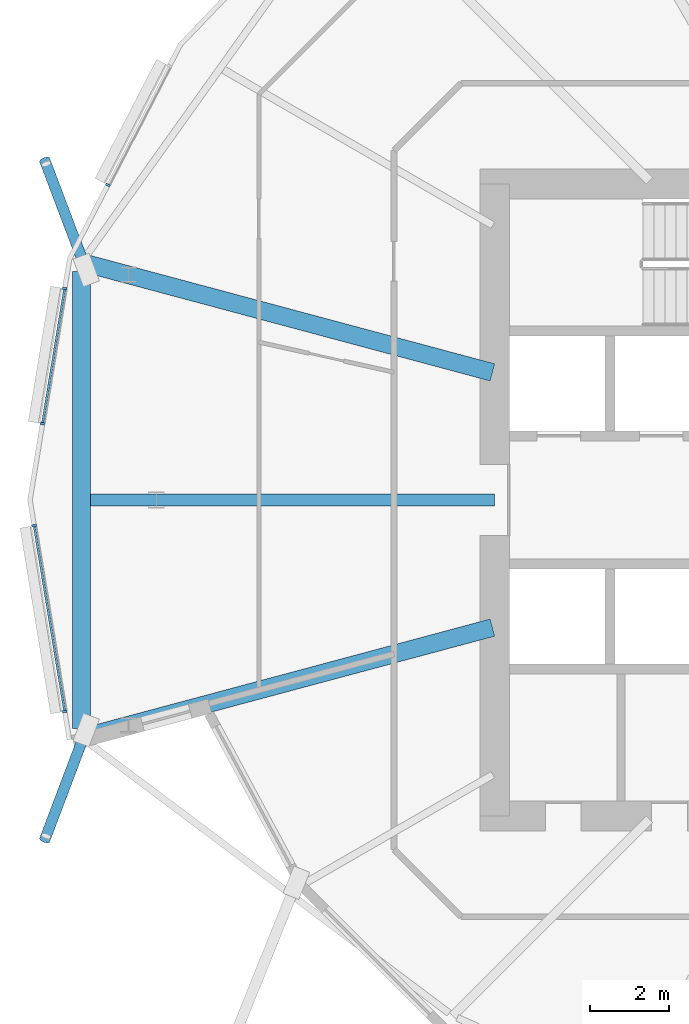
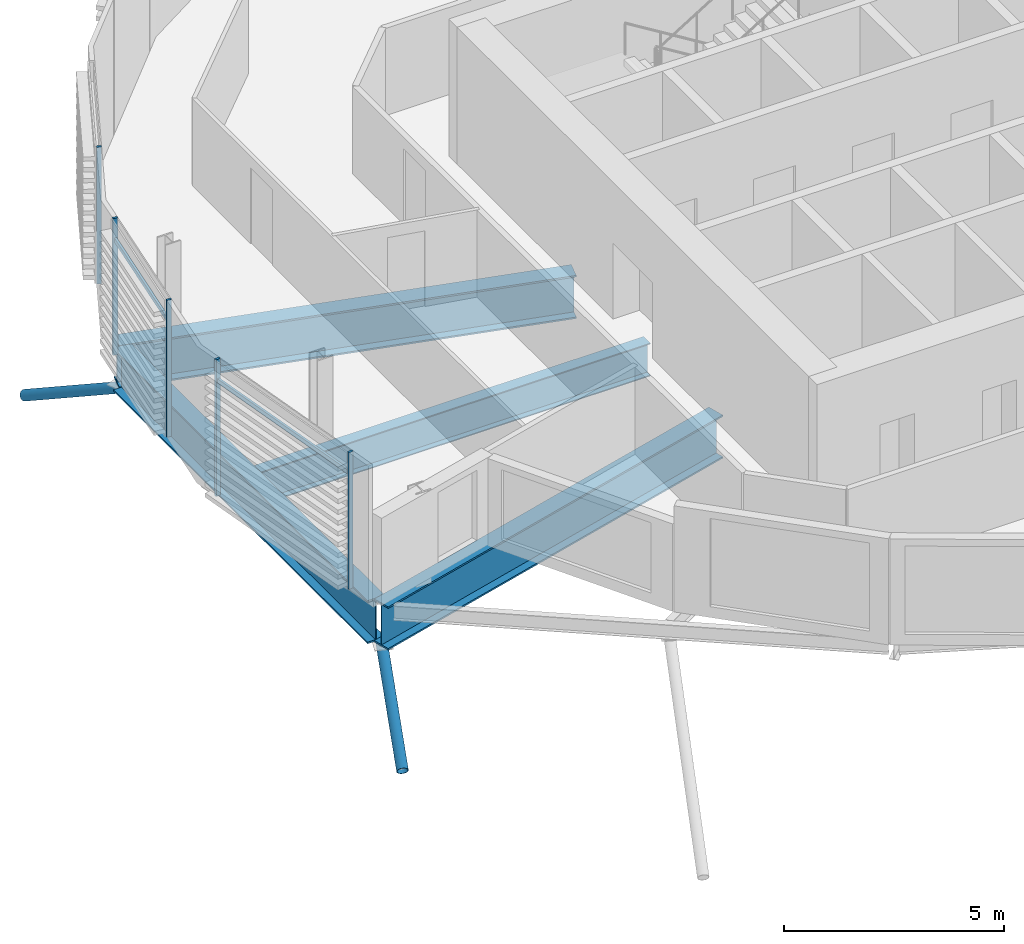
# One storey, part 5 of 40: 9 members, 4 beams, 1 element without a shape of its own.
"""IFC4 building model written with IfcOpenShell, lengths in metres."""

import ifcopenshell
import ifcopenshell.guid

model = None  # the IFC model being written
_history = None  # IfcOwnerHistory: only IFC2X3 demands one
_inside = {}  # id of a spatial element -> (the spatial element, [elements in it])
_under = {}  # id of a project, library or spatial element -> (it, [spatial elements below it])
_declared = {}  # id of a project -> (the project, [libraries it declares])
_typed = {}  # id of a type object -> (the type object, [elements of that type])
_made_of = {}  # id of a material, layer set ... -> (it, [elements and type objects made of it])


def new_model(schema):
    """Start an empty IFC model of exactly this schema.

    Asked for "IFC4X3", IfcOpenShell would pick the latest addendum, in which some entities
    have other attributes; the version numbers below select the first issue.
    IFC2X3 requires an IfcOwnerHistory on every rooted entity: one is made here for all.
    """
    global model, _history
    if schema == "IFC4X3":
        model = ifcopenshell.file(schema_version=(4, 3, 0, 0))
    else:
        model = ifcopenshell.file(schema=schema)
    _inside.clear()
    _under.clear()
    _declared.clear()
    _typed.clear()
    _made_of.clear()
    _history = None
    if model.schema == "IFC2X3":
        org = make("IfcOrganization", Name="unknown")
        user = make(
            "IfcPersonAndOrganization",
            ThePerson=make("IfcPerson", FamilyName="unknown"),
            TheOrganization=org,
        )
        app = make(
            "IfcApplication",
            ApplicationDeveloper=org,
            Version="unknown",
            ApplicationFullName="unknown",
            ApplicationIdentifier="unknown",
        )
        _history = make(
            "IfcOwnerHistory",
            OwningUser=user,
            OwningApplication=app,
            ChangeAction="ADDED",
            CreationDate=0,
        )
    return model


def make(cls, **values):
    """One entity of the class cls with the attributes given. An attribute that is None is left unset."""
    return model.create_entity(
        cls, **{name: value for name, value in values.items() if value is not None}
    )


def rooted(cls, **values):
    """An entity with a GlobalId (a new one), such as an element, a storey or a relation."""
    return make(cls, GlobalId=ifcopenshell.guid.new(), OwnerHistory=_history, **values)


def si_unit(unit_type, name, prefix=None):
    """IfcSIUnit, for example si_unit("LENGTHUNIT", "METRE", prefix="MILLI")."""
    return make("IfcSIUnit", UnitType=unit_type, Prefix=prefix, Name=name)


def assignment(units):
    """IfcUnitAssignment: the units of a project."""
    return None if units is None else make("IfcUnitAssignment", Units=units)


def point(xyz):
    """IfcCartesianPoint."""
    return None if xyz is None else make("IfcCartesianPoint", Coordinates=xyz)


def direction(xyz):
    """IfcDirection."""
    return None if xyz is None else make("IfcDirection", DirectionRatios=xyz)


def frame(location, z_axis=None, x_axis=None):
    """IfcAxis2Placement3D, a coordinate frame: its origin and axes. An axis left out is left unset."""
    return make(
        "IfcAxis2Placement3D",
        Location=point(location),
        Axis=direction(z_axis),
        RefDirection=direction(x_axis),
    )


def frame_2d(location, x_axis=None):
    """IfcAxis2Placement2D, a coordinate frame in the plane: its origin and x axis."""
    return make(
        "IfcAxis2Placement2D", Location=point(location), RefDirection=direction(x_axis)
    )


def origin():
    """The frame at (0, 0, 0) with its axes left unset."""
    return frame((0.0, 0.0, 0.0))


def origin_2d():
    """The frame at (0, 0) in the plane with its x axis left unset."""
    return frame_2d((0.0, 0.0))


def place(relative_to, where):
    """IfcLocalPlacement: puts the frame where relative to a parent placement (None: the world)."""
    return make(
        "IfcLocalPlacement", PlacementRelTo=relative_to, RelativePlacement=where
    )


def context(
    kind, dimensions, precision=None, world=None, true_north=None, identifier=None
):
    """IfcGeometricRepresentationContext, for example the 3D "Model" context."""
    return make(
        "IfcGeometricRepresentationContext",
        ContextIdentifier=identifier,
        ContextType=kind,
        CoordinateSpaceDimension=dimensions,
        Precision=precision,
        WorldCoordinateSystem=world,
        TrueNorth=true_north,
    )


def subcontext(parent, identifier, kind, view, scale=None):
    """IfcGeometricRepresentationSubContext, for example "Body" below "Model"."""
    return make(
        "IfcGeometricRepresentationSubContext",
        ContextIdentifier=identifier,
        ContextType=kind,
        ParentContext=parent,
        TargetScale=scale,
        TargetView=view,
    )


def project(units=None, contexts=None):
    """IfcProject with its units and contexts."""
    return rooted(
        "IfcProject",
        Name="project",
        RepresentationContexts=contexts,
        UnitsInContext=assignment(units),
    )


def spatial(cls, under=None, at=None, **own):
    """A site, building, storey or space (cls), placed at a placement, below another one or the project."""
    s = rooted(cls, ObjectPlacement=at, **own)
    if under is not None:
        _under.setdefault(under.id(), (under, []))[1].append(s)
    return s


def profile(cls, at=None, kind="AREA", **sizes):
    """A parametric profile (cls). Its sizes go by their IFC names, for example OverallWidth=200.0."""
    return make(cls, ProfileType=kind, Position=at, **sizes)


def rectangle(**sizes):
    """IfcRectangleProfileDef."""
    return profile("IfcRectangleProfileDef", **sizes)


def hollow_circle(**sizes):
    """IfcCircleHollowProfileDef."""
    return profile("IfcCircleHollowProfileDef", **sizes)


def i_section(**sizes):
    """IfcIShapeProfileDef."""
    return profile("IfcIShapeProfileDef", **sizes)


def extrude(swept, where, along, depth):
    """IfcExtrudedAreaSolid: the profile swept, set in the frame where, extruded along a direction by depth."""
    return make(
        "IfcExtrudedAreaSolid",
        SweptArea=swept,
        Position=where,
        ExtrudedDirection=direction(along),
        Depth=depth,
    )


def clip(a, b, op="DIFFERENCE"):
    """IfcBooleanClippingResult: the solid a cut by the half space b."""
    return make(
        "IfcBooleanClippingResult", Operator=op, FirstOperand=a, SecondOperand=b
    )


def halfspace(plane, agree):
    """IfcHalfSpaceSolid: all space on one side of the plane z = 0 of the frame plane."""
    return make(
        "IfcHalfSpaceSolid",
        BaseSurface=make("IfcPlane", Position=plane),
        AgreementFlag=agree,
    )


def shape(context_of_items, identifier, shape_type, items):
    """IfcShapeRepresentation: the items that make up one representation, for example the "Body"."""
    return make(
        "IfcShapeRepresentation",
        ContextOfItems=context_of_items,
        RepresentationIdentifier=identifier,
        RepresentationType=shape_type,
        Items=items,
    )


def material(Name=None, Category=None):
    """IfcMaterial."""
    return make("IfcMaterial", Name=Name, Category=Category)


def material_profile(
    of_material, cross_section, Name=None, Category=None, Priority=None
):
    """IfcMaterialProfile: a cross section and its material."""
    return make(
        "IfcMaterialProfile",
        Name=Name,
        Material=of_material,
        Profile=cross_section,
        Priority=Priority,
        Category=Category,
    )


def profile_set(profiles, Name=None, composite=None):
    """IfcMaterialProfileSet."""
    return make(
        "IfcMaterialProfileSet",
        Name=Name,
        MaterialProfiles=profiles,
        CompositeProfile=composite,
    )


def made_of(thing, what):
    """Note that an element or type object is made of a material, layer set ...; save() writes the relation."""
    if what is not None:
        _made_of.setdefault(what.id(), (what, []))[1].append(thing)
    return thing


def type_object(cls, material=None, **own):
    """A type object (cls), such as IfcWallType, which elements share."""
    return made_of(rooted(cls, **own), material)


def element(
    cls,
    number,
    at=None,
    inside=None,
    cuts=None,
    type_object=None,
    material=None,
    context=None,
    identifier="Body",
    shape_type=None,
    held_by="IfcProductDefinitionShape",
    body=None,
    shapes=None,
    **own,
):
    """One element of the class cls, such as IfcWall. Its Tag is "e" and its number.

    at: its placement. inside: the storey or other place that contains it. cuts: it is an
    opening in that element (IfcRelVoidsElement). A single representation is given by context,
    identifier, shape_type and body (its items); several are given by shapes. held_by: the class
    of the entity that holds the representations. save() writes the other relations.
    """
    e = rooted(cls, Tag="e%d" % number, ObjectPlacement=at, **own)
    if body is not None:
        shapes = [shape(context, identifier, shape_type, body)]
    if shapes is not None:
        e.Representation = make(held_by, Representations=shapes)
    if inside is not None:
        _inside.setdefault(inside.id(), (inside, []))[1].append(e)
    if cuts is not None:
        rooted(
            "IfcRelVoidsElement", RelatingBuildingElement=cuts, RelatedOpeningElement=e
        )
    if type_object is not None:
        _typed.setdefault(type_object.id(), (type_object, []))[1].append(e)
    return made_of(e, material)


def aggregate(whole, parts):
    """IfcRelAggregates: a whole, such as a stair, and the parts it consists of."""
    return rooted("IfcRelAggregates", RelatingObject=whole, RelatedObjects=parts)


def save(model, path):
    """Write the relations noted so far, then the file.

    IfcRelAggregates (storeys below a building ...), IfcRelContainedInSpatialStructure (elements
    in a storey), IfcRelDefinesByType, IfcRelAssociatesMaterial and IfcRelDeclares: one each for
    every whole, place, type object, material and project.
    """
    for whole, parts in _under.values():
        aggregate(whole, parts)
    for where, things in _inside.values():
        rooted(
            "IfcRelContainedInSpatialStructure",
            RelatedElements=things,
            RelatingStructure=where,
        )
    for kind, things in _typed.values():
        rooted("IfcRelDefinesByType", RelatedObjects=things, RelatingType=kind)
    for what, things in _made_of.values():
        rooted("IfcRelAssociatesMaterial", RelatedObjects=things, RelatingMaterial=what)
    for by, libraries in _declared.values():
        rooted("IfcRelDeclares", RelatingContext=by, RelatedDefinitions=libraries)
    model.write(path)


model = new_model("IFC4")

# Units and contexts
model_context = context("Model", 3, precision=1e-05, world=origin(), true_north=direction((0.0, 1.0)))
body_context = subcontext(model_context, "Body", "Model", "MODEL_VIEW")
ifc_project = project(units=[si_unit("LENGTHUNIT", "METRE"), si_unit("AREAUNIT", "SQUARE_METRE"), si_unit("VOLUMEUNIT", "CUBIC_METRE"), si_unit("PLANEANGLEUNIT", "RADIAN"), si_unit("MASSUNIT", "GRAM", prefix="KILO")], contexts=[model_context])

# Site, building, storey
site_placement = place(None, origin())
site = spatial("IfcSite", under=ifc_project, at=site_placement, CompositionType="ELEMENT")
building_placement = place(site_placement, origin())
building = spatial("IfcBuilding", under=site, at=building_placement, Name="Rimbun Link Towers", CompositionType="ELEMENT")
storey_placement = place(building_placement, frame((0.0, 0.0, 89.199951171875)))
storey = spatial("IfcBuildingStorey", under=building, at=storey_placement, Name="L21", CompositionType="ELEMENT", Elevation=89.199951171875)

# Curtain wall, members
ifc_material_1 = material(Name="Aluminium 6063-T6 and low-iron glass", Category="aluminium")
curtain_wall_type = type_object("IfcCurtainWallType", Name="CW1-Z2 unitised vision wall (zone 2)", PredefinedType="NOTDEFINED", material=ifc_material_1)
curtain_wall_placement = place(storey_placement, origin())
curtain_wall = element("IfcCurtainWall", 1, at=curtain_wall_placement, inside=storey, type_object=curtain_wall_type, Name="CW1 L21 T1", PredefinedType="NOTDEFINED")
ifc_material_2 = material(Name="Aluminium 6063-T6", Category="aluminium")
ifc_material_profile_1 = material_profile(ifc_material_2, rectangle(XDim=0.1201171875, YDim=0.06005859375, at=origin_2d()), Name="MULLION 60X120")
ifc_profile_set_1 = profile_set([ifc_material_profile_1], Name="Aluminium 6063-T6")
member_type_1 = type_object("IfcMemberType", Name="CW1 mullion 60X120", PredefinedType="MULLION", material=ifc_profile_set_1)
member_1_placement = place(storey_placement, frame((-53.543701171875, 7.9765625, 0.0), z_axis=(0.0, 0.0, 1.0), x_axis=(-0.888154791602, 0.459544411514, 0.0)))
member_1 = element("IfcMember", 2, at=member_1_placement, type_object=member_type_1, Name="CW1 mullion", PredefinedType="MULLION", context=body_context, shape_type="SweptSolid", body=[
    extrude(rectangle(XDim=0.1201171875, YDim=0.06005859375, at=origin_2d()), origin(), (0.0, 0.0, 1.0), 3.800048828125),
])
member_2_placement = place(storey_placement, frame((-55.19873046875, 1.933837890625, 0.0), z_axis=(0.0, 0.0, 1.0), x_axis=(-0.986748851509, 0.162255058613, 0.0)))
member_2 = element("IfcMember", 3, at=member_2_placement, type_object=member_type_1, Name="CW1 mullion", PredefinedType="MULLION", context=body_context, shape_type="SweptSolid", body=[
    extrude(rectangle(XDim=0.1201171875, YDim=0.06005859375, at=origin_2d()), origin(), (0.0, 0.0, 1.0), 3.800048828125),
])
member_3_placement = place(storey_placement, frame((-54.636474609375, 5.353515625, 0.0), z_axis=(0.0, 0.0, 1.0), x_axis=(-0.986748851509, 0.162255058613, 0.0)))
member_3 = element("IfcMember", 4, at=member_3_placement, type_object=member_type_1, Name="CW1 mullion", PredefinedType="MULLION", context=body_context, shape_type="SweptSolid", body=[
    extrude(rectangle(XDim=0.1201171875, YDim=0.06005859375, at=origin_2d()), origin(), (0.0, 0.0, 1.0), 3.800048828125),
])
member_4_placement = place(storey_placement, frame((-54.636474609375, -5.353515625, 0.0), z_axis=(0.0, 0.0, 1.0), x_axis=(-0.986748851509, -0.162255058613, 0.0)))
member_4 = element("IfcMember", 5, at=member_4_placement, type_object=member_type_1, Name="CW1 mullion", PredefinedType="MULLION", context=body_context, shape_type="SweptSolid", body=[
    extrude(rectangle(XDim=0.1201171875, YDim=0.06005859375, at=origin_2d()), origin(), (0.0, 0.0, 1.0), 3.800048828125),
])
member_5_placement = place(storey_placement, frame((-55.40966796875, -0.651123046875, 0.0), z_axis=(0.0, 0.0, 1.0), x_axis=(-0.986748851509, -0.162255058613, 0.0)))
member_5 = element("IfcMember", 6, at=member_5_placement, type_object=member_type_1, Name="CW1 mullion", PredefinedType="MULLION", context=body_context, shape_type="SweptSolid", body=[
    extrude(rectangle(XDim=0.1201171875, YDim=0.06005859375, at=origin_2d()), origin(), (0.0, 0.0, 1.0), 3.800048828125),
])
ifc_material_3 = material(Name="Aluminium 6063-T6", Category="aluminium")
ifc_material_profile_2 = material_profile(ifc_material_3, rectangle(XDim=0.06005859375, YDim=0.1201171875, at=origin_2d()), Name="TRANSOM 60X120")
ifc_profile_set_2 = profile_set([ifc_material_profile_2], Name="Aluminium 6063-T6")
member_type_2 = type_object("IfcMemberType", Name="CW1 transom 60X120", PredefinedType="USERDEFINED", material=ifc_profile_set_2)
member_6_placement = place(storey_placement, frame((-55.19189453125, 1.963134765625, 3.199951171875), z_axis=(0.162224767288, 0.986753831955, 0.0), x_axis=(-0.986753831955, 0.162224767288, 0.0)))
member_6 = element("IfcMember", 7, at=member_6_placement, type_object=member_type_2, Name="CW1 transom", ObjectType="TRANSOM", PredefinedType="USERDEFINED", context=body_context, shape_type="SweptSolid", body=[
    extrude(rectangle(XDim=0.06005859375, YDim=0.1201171875, at=origin_2d()), origin(), (0.0, 0.0, 1.0), 3.40576171875),
])
member_7_placement = place(storey_placement, frame((-54.639404296875, -5.32373046875, 3.199951171875), z_axis=(-0.162236357021, 0.986751926505, 0.0), x_axis=(-0.986751926505, -0.162236357021, 0.0)))
member_7 = element("IfcMember", 8, at=member_7_placement, type_object=member_type_2, Name="CW1 transom", ObjectType="TRANSOM", PredefinedType="USERDEFINED", context=body_context, shape_type="SweptSolid", body=[
    extrude(rectangle(XDim=0.06005859375, YDim=0.1201171875, at=origin_2d()), origin(), (0.0, 0.0, 1.0), 4.70556640625),
])
aggregate(curtain_wall, [member_1, member_2, member_3, member_4, member_5, member_6, member_7])

# Members
ifc_material_4 = material(Name="Steel S355J2H", Category="steel")
ifc_material_profile_3 = material_profile(ifc_material_4, hollow_circle(Radius=0.136474609375, WallThickness=0.012451171875, at=origin_2d()), Name="CHS 273x12.5")
ifc_profile_set_3 = profile_set([ifc_material_profile_3], Name="Steel S355J2H")
member_type_3 = type_object("IfcMemberType", Name="Floor edge link CHS 273x12.5", PredefinedType="BRACE", material=ifc_profile_set_3)
for number, where, z_axis, x_axis, name in (
    (9, (-54.159912109375, 6.004638671875, -1.48095703125), (-0.31350646224, 0.829292746203, -0.462587547638), (-0.9353907443, -0.353615830357, 0.0), "Floor edge link T1 L21 11"),
    (10, (-54.159912109375, -6.004638671875, -1.48095703125), (-0.31350646224, -0.829292746203, -0.462587547638), (0.9353907443, -0.353615830357, 0.0), "Floor edge link T1 L21 13"),
):
    element("IfcMember", number, at=place(storey_placement, frame(where, z_axis=z_axis, x_axis=x_axis)), inside=storey, type_object=member_type_3, Name=name, PredefinedType="BRACE", context=body_context, shape_type="Clipping", body=[
        clip(extrude(hollow_circle(Radius=0.136474609375, WallThickness=0.012451171875, at=origin_2d()), frame((0.0, 0.0, -0.544921875)), (0.0, 0.0, 1.0), 3.67919921875), halfspace(frame((0.0, 0.0, -0.25732421875), z_axis=(0.0, 0.88657360708, -0.462587547638)), False)),
    ])

# Beams
ifc_material_5 = material(Name="Steel S355J2", Category="steel")
ifc_material_profile_4 = material_profile(ifc_material_5, i_section(OverallWidth=0.449951171875, OverallDepth=1.199951171875, WebThickness=0.030029296875, FlangeThickness=0.044921875, at=origin_2d()), Name="PG 1200x450x30/45")
ifc_profile_set_4 = profile_set([ifc_material_profile_4], Name="Steel S355J2")
beam_type_1 = type_object("IfcBeamType", Name="PG 1200x450x30/45", PredefinedType="BEAM", material=ifc_profile_set_4)
for number, where, z_axis, x_axis, name in (
    (11, (-43.80908203125, 3.231201171875, -0.760009765625), (-0.965927503527, 0.258812785485, 0.0), (-0.258812785485, -0.965927503527, 0.0), "Radial beam T1 L21 11"),
    (12, (-43.80908203125, -3.231201171875, -0.760009765625), (-0.965927503527, -0.258812785485, 0.0), (0.258812785485, -0.965927503527, 0.0), "Radial beam T1 L21 13"),
):
    element("IfcBeam", number, at=place(storey_placement, frame(where, z_axis=z_axis, x_axis=x_axis)), inside=storey, type_object=beam_type_1, Name=name, PredefinedType="BEAM", context=body_context, shape_type="SweptSolid", body=[
        extrude(i_section(OverallWidth=0.449951171875, OverallDepth=1.199951171875, WebThickness=0.030029296875, FlangeThickness=0.044921875, at=origin_2d()), origin(), (0.0, 0.0, 1.0), 10.76611328125),
    ])
beam_1_placement = place(storey_placement, frame((-54.208251953125, 5.78369140625, -0.760009765625), z_axis=(0.0, -1.0, 0.0), x_axis=(1.0, 0.0, 0.0)))
element("IfcBeam", 13, at=beam_1_placement, inside=storey, type_object=beam_type_1, Name="Edge beam T1 L21 11-13", PredefinedType="BEAM", context=body_context, shape_type="SweptSolid", body=[
    extrude(i_section(OverallWidth=0.449951171875, OverallDepth=1.199951171875, WebThickness=0.030029296875, FlangeThickness=0.044921875, at=origin_2d()), origin(), (0.0, 0.0, 1.0), 11.5673828125),
])
ifc_material_6 = material(Name="Steel S355J2", Category="steel")
ifc_material_profile_5 = material_profile(ifc_material_6, i_section(OverallWidth=0.305419921875, OverallDepth=0.91845703125, WebThickness=0.017333984375, FlangeThickness=0.02783203125, at=origin_2d()), Name="UB 914x305x253")
ifc_profile_set_5 = profile_set([ifc_material_profile_5], Name="Steel S355J2")
beam_type_2 = type_object("IfcBeamType", Name="UB 914x305x253", PredefinedType="BEAM", material=ifc_profile_set_5)
beam_2_placement = place(storey_placement, frame((-43.7509765625, 0.0, -0.619140625), z_axis=(-1.0, 0.0, 0.0), x_axis=(0.0, -1.0, 0.0)))
element("IfcBeam", 14, at=beam_2_placement, inside=storey, type_object=beam_type_2, Name="Radial beam T1 L21 12", PredefinedType="BEAM", context=body_context, shape_type="SweptSolid", body=[
    extrude(i_section(OverallWidth=0.305419921875, OverallDepth=0.91845703125, WebThickness=0.017333984375, FlangeThickness=0.02783203125, at=origin_2d()), origin(), (0.0, 0.0, 1.0), 10.2314453125),
])

save(model, "model.ifc")
